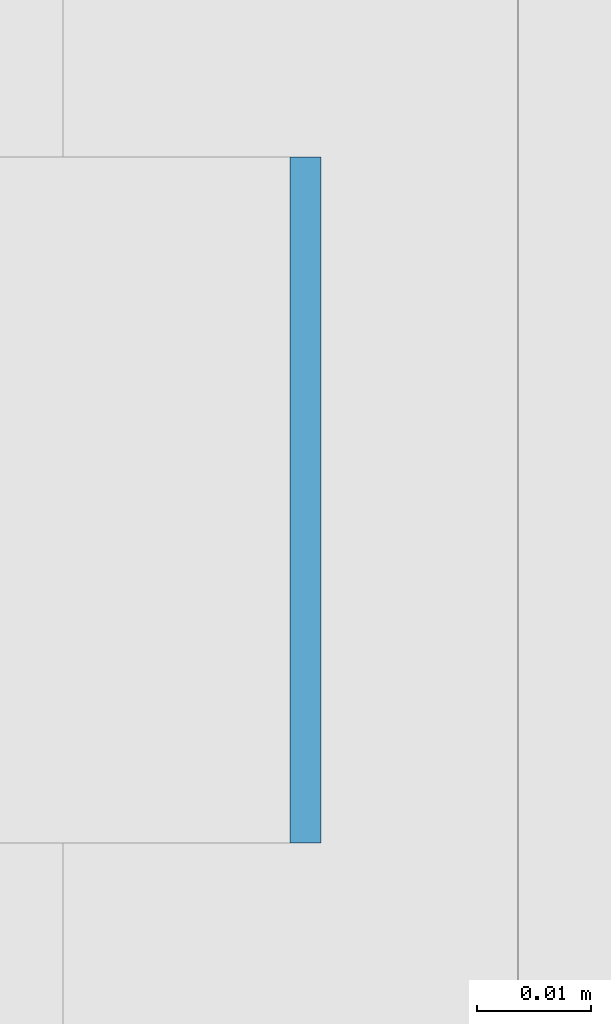
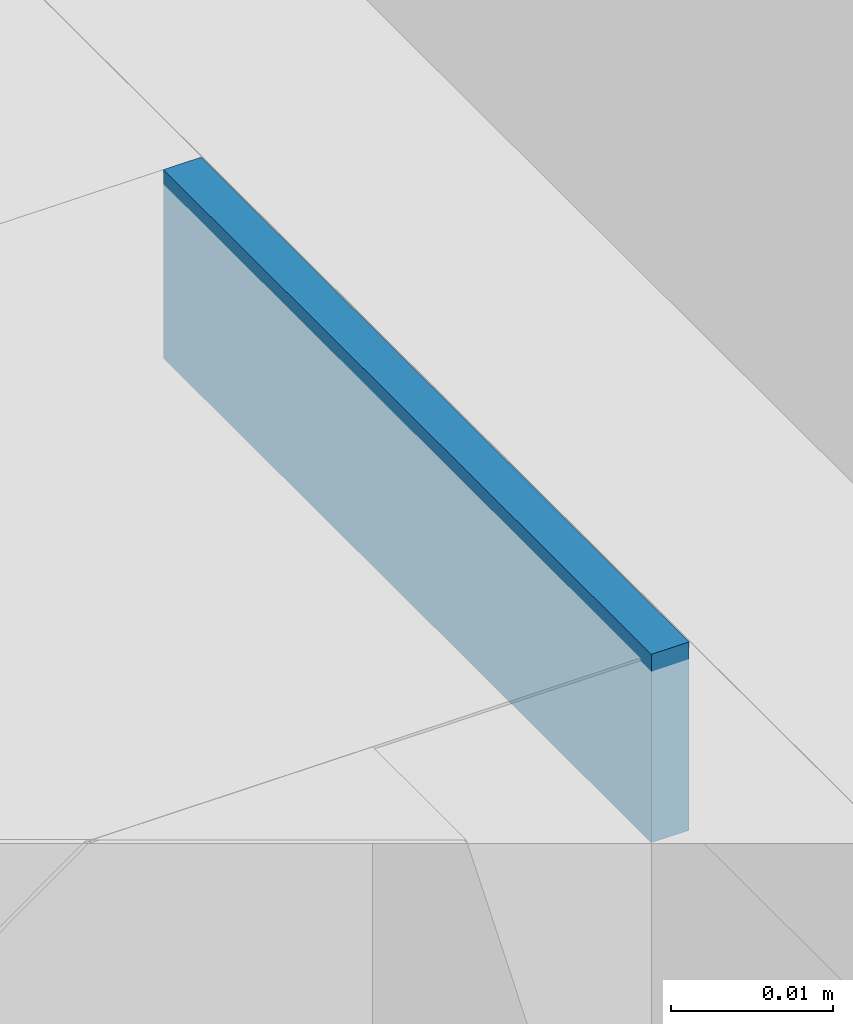
# One storey, part 323 of 646: 1 discrete accessory.
"""IFC4 building model written with IfcOpenShell, lengths in metres."""

from ifc_helpers import new_model, si_unit, direction, frame, origin, origin_2d, place, context, subcontext, project, spatial, rectangle, extrude, material, type_object, element, save


model = new_model("IFC4")

# Units and contexts
model_context = context("Model", 3, precision=1e-05, world=origin(), true_north=direction((0.0, 1.0)))
body_context = subcontext(model_context, "Body", "Model", "MODEL_VIEW")
ifc_project = project(units=[si_unit("LENGTHUNIT", "METRE"), si_unit("AREAUNIT", "SQUARE_METRE"), si_unit("VOLUMEUNIT", "CUBIC_METRE"), si_unit("PLANEANGLEUNIT", "RADIAN"), si_unit("MASSUNIT", "GRAM", prefix="KILO")], contexts=[model_context])

# Site, building, storey
site_placement = place(None, origin())
site = spatial("IfcSite", under=ifc_project, at=site_placement, CompositionType="ELEMENT")
building_placement = place(site_placement, origin())
building = spatial("IfcBuilding", under=site, at=building_placement, Name="Silverbay Arena", CompositionType="ELEMENT")
storey_placement = place(building_placement, frame((0.0, 0.0, 33.5)))
storey = spatial("IfcBuildingStorey", under=building, at=storey_placement, Name="L05", CompositionType="ELEMENT", Elevation=33.5)

# Discrete accessory
ifc_material = material(Name="Steel S355", Category="steel")
discrete_accessory_type = type_object("IfcDiscreteAccessoryType", Name="Steel bracket plate", PredefinedType="BRACKET", material=ifc_material)
discrete_accessory_placement = place(storey_placement, frame((53.871337890625, 75.857177734375, 12.98583984375), z_axis=(0.0, 0.0, 1.0), x_axis=(1.0, 0.0, 0.0)))
element("IfcDiscreteAccessory", 1, at=discrete_accessory_placement, inside=storey, type_object=discrete_accessory_type, Name="Curtain wall packing plate", PredefinedType="BRACKET", context=body_context, shape_type="SweptSolid", body=[
    extrude(rectangle(XDim=0.002685546875, YDim=0.06005859375, at=origin_2d()), origin(), (0.0, 0.0, 1.0), 0.01416015625),
])

save(model, "model.ifc")
